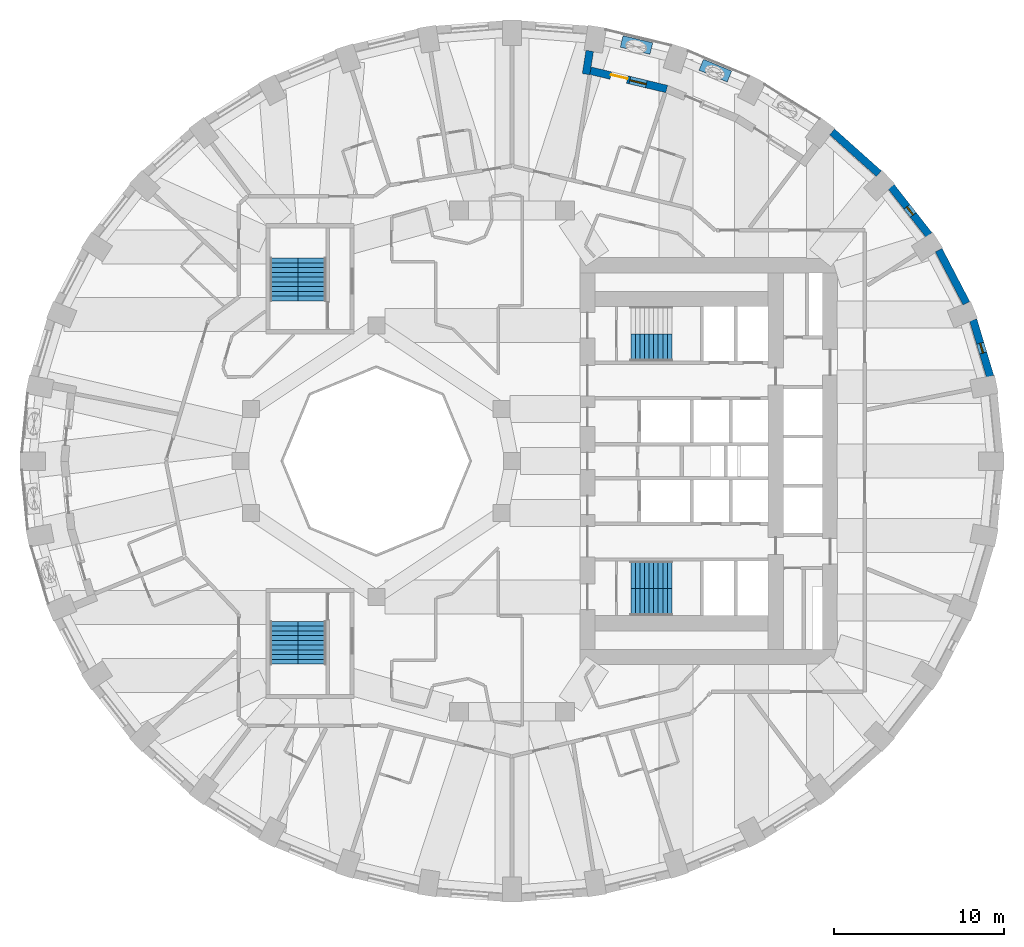
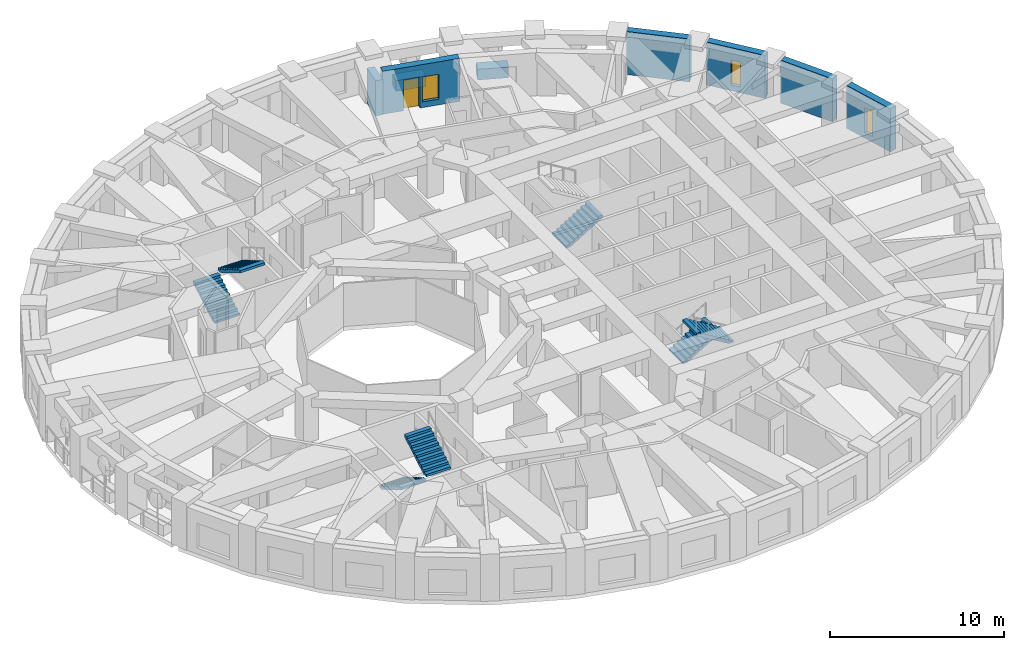
# One storey, part 10 of 14: 8 walls, 7 stair flights, 3 windows, 1 door, 4 openings, 4 elements without a shape of their own.
"""IFC4 building model written with IfcOpenShell, lengths in metres."""

from ifc_helpers import new_model, si_unit, direction, frame, frame_2d, origin, place, context, subcontext, project, spatial, polyline, rectangle, outline, extrude, material, layer, layer_set, constituent, constituent_set, type_object, element, fill, aggregate, save


model = new_model("IFC4")

# Units and contexts
model_context = context("Model", 3, precision=1e-05, world=origin(), true_north=direction((0.0, 1.0)))
body_context = subcontext(model_context, "Body", "Model", "MODEL_VIEW")
ifc_project = project(units=[si_unit("LENGTHUNIT", "METRE"), si_unit("AREAUNIT", "SQUARE_METRE"), si_unit("VOLUMEUNIT", "CUBIC_METRE"), si_unit("PLANEANGLEUNIT", "RADIAN"), si_unit("MASSUNIT", "GRAM", prefix="KILO")], contexts=[model_context])

# Site, building, storey
site_placement = place(None, origin())
site = spatial("IfcSite", under=ifc_project, at=site_placement, CompositionType="ELEMENT")
building_placement = place(site_placement, origin())
building = spatial("IfcBuilding", under=site, at=building_placement, Name="Taillehof Tower", CompositionType="ELEMENT")
storey_placement = place(building_placement, frame((0.0, 0.0, 28.300048828125)))
storey = spatial("IfcBuildingStorey", under=building, at=storey_placement, Name="L06", CompositionType="ELEMENT", Elevation=28.300048828125)

# Wall, opening, window
ifc_material_1 = material(Name="Brick masonry", Category="masonry")
ifc_layer = layer(ifc_material_1, 0.449951171875)
ifc_layer_set = layer_set([ifc_layer], Name="Brick infill wall 450")
wall_type_1 = type_object("IfcWallType", Name="Brick infill wall 450", PredefinedType="SOLIDWALL", material=ifc_layer_set)
wall_1_placement = place(storey_placement, frame((28.181884765625, 4.995849609375, 0.0), z_axis=(0.0, 0.0, 1.0), x_axis=(-0.287064133733, 0.957911364963, 0.0)))
wall_1 = element("IfcWall", 1, at=wall_1_placement, inside=storey, type_object=wall_type_1, Name="Brick wall L06 bay 2", PredefinedType="SOLIDWALL", context=body_context, shape_type="SweptSolid", body=[
    extrude(rectangle(XDim=3.473388671875, YDim=0.449951171875, at=frame_2d((1.73681640625, 0.0))), origin(), (0.0, 0.0, 1.0), 3.02001953125),
])
opening_1_placement = place(wall_1_placement, frame((1.436767578125, 0.0, 0.39990234375)))
opening_1 = element("IfcOpeningElement", 2, at=opening_1_placement, cuts=wall_1, Name="Opening W6", PredefinedType="OPENING", context=body_context, shape_type="SweptSolid", body=[
    extrude(rectangle(XDim=0.60009765625, YDim=1.75, at=frame_2d((0.300048828125, 0.875))), frame((0.0, 0.23486328125, 0.0), z_axis=(0.0, -1.0, 0.0), x_axis=(1.0, 0.0, 0.0)), (0.0, 0.0, 1.0), 0.469970703125),
])
ifc_material_2 = material(Name="Aluminium window frame with clear double glazing", Category="aluminium")
window_type_1 = type_object("IfcWindowType", Name="Slot window 600x1750", PartitioningType="SINGLE_PANEL", PredefinedType="WINDOW", material=ifc_material_2)
window_1_placement = place(opening_1_placement, origin())
window_1 = element("IfcWindow", 3, at=window_1_placement, inside=storey, type_object=window_type_1, Name="W6", OverallHeight=1.75, OverallWidth=0.60009765625, PartitioningType="SINGLE_PANEL", PredefinedType="WINDOW", context=body_context, shape_type="SweptSolid", body=[
    extrude(rectangle(XDim=0.60009765625, YDim=1.75, at=frame_2d((0.300048828125, 0.875))), frame((0.0, 0.034912109375, 0.0), z_axis=(0.0, -1.0, 0.0), x_axis=(1.0, 0.0, 0.0)), (0.0, 0.0, 1.0), 0.06005859375),
])
fill(opening_1, window_1)

# Wall
wall_2_placement = place(storey_placement, frame((26.78564453125, 9.30517578125, 0.0), z_axis=(0.0, 0.0, 1.0), x_axis=(-0.462492775226, 0.886623050041, 0.0)))
element("IfcWall", 4, at=wall_2_placement, inside=storey, type_object=wall_type_1, Name="Brick wall L06 bay 3", PredefinedType="SOLIDWALL", context=body_context, shape_type="SweptSolid", body=[
    extrude(rectangle(XDim=3.531982421875, YDim=0.449951171875, at=frame_2d((1.76611328125, 0.0))), origin(), (0.0, 0.0, 1.0), 3.02001953125),
])

# Wall, opening, window
wall_3_placement = place(storey_placement, frame((24.57763671875, 13.327880859375, 0.0), z_axis=(0.0, 0.0, 1.0), x_axis=(-0.616661975264, 0.787228053529, 0.0)))
wall_3 = element("IfcWall", 5, at=wall_3_placement, inside=storey, type_object=wall_type_1, Name="Brick wall L06 bay 4", PredefinedType="SOLIDWALL", context=body_context, shape_type="SweptSolid", body=[
    extrude(rectangle(XDim=3.60986328125, YDim=0.449951171875, at=frame_2d((1.804931640625, 0.0))), origin(), (0.0, 0.0, 1.0), 3.02001953125),
])
opening_2_placement = place(wall_3_placement, frame((1.5048828125, 0.0, 0.39990234375)))
opening_2 = element("IfcOpeningElement", 6, at=opening_2_placement, cuts=wall_3, Name="Opening W6", PredefinedType="OPENING", context=body_context, shape_type="SweptSolid", body=[
    extrude(rectangle(XDim=0.60009765625, YDim=1.75, at=frame_2d((0.300048828125, 0.875))), frame((0.0, 0.23486328125, 0.0), z_axis=(0.0, -1.0, 0.0), x_axis=(1.0, 0.0, 0.0)), (0.0, 0.0, 1.0), 0.469970703125),
])
window_2_placement = place(opening_2_placement, origin())
window_2 = element("IfcWindow", 7, at=window_2_placement, inside=storey, type_object=window_type_1, Name="W6", OverallHeight=1.75, OverallWidth=0.60009765625, PartitioningType="SINGLE_PANEL", PredefinedType="WINDOW", context=body_context, shape_type="SweptSolid", body=[
    extrude(rectangle(XDim=0.60009765625, YDim=1.75, at=frame_2d((0.300048828125, 0.875))), frame((0.0, 0.034912109375, 0.0), z_axis=(0.0, -1.0, 0.0), x_axis=(1.0, 0.0, 0.0)), (0.0, 0.0, 1.0), 0.06005859375),
])
fill(opening_2, window_2)

# Walls
wall_4_placement = place(storey_placement, frame((21.626708984375, 16.943115234375, 0.0), z_axis=(0.0, 0.0, 1.0), x_axis=(-0.745526233716, 0.66647628228, 0.0)))
element("IfcWall", 8, at=wall_4_placement, inside=storey, type_object=wall_type_1, Name="Brick wall L06 bay 5", PredefinedType="SOLIDWALL", context=body_context, shape_type="SweptSolid", body=[
    extrude(rectangle(XDim=3.69677734375, YDim=0.449951171875, at=frame_2d((1.848388671875, 0.0))), origin(), (0.0, 0.0, 1.0), 3.02001953125),
])
wall_5_placement = place(storey_placement, frame((4.58251953125, 24.178466796875, 0.0), z_axis=(0.0, 0.0, 1.0), x_axis=(-0.156133927791, -0.98773589415, 0.0)))
element("IfcWall", 9, at=wall_5_placement, inside=storey, type_object=wall_type_1, Name="Brick reveal L06 pocket 1", PredefinedType="SOLIDWALL", context=body_context, shape_type="SweptSolid", body=[
    extrude(rectangle(XDim=1.39013671875, YDim=0.449951171875, at=frame_2d((0.695068359375, 0.0))), origin(), (0.0, 0.0, 1.0), 2.469970703125),
])

# Wall, openings, door, window
wall_6_placement = place(storey_placement, frame((9.12158203125, 21.931640625, 0.0), z_axis=(0.0, 0.0, 1.0), x_axis=(-0.972346547441, 0.233542697764, 0.0)))
wall_6 = element("IfcWall", 10, at=wall_6_placement, inside=storey, type_object=wall_type_1, Name="Brick wall L06 pocket bay 8", PredefinedType="SOLIDWALL", context=body_context, shape_type="SweptSolid", body=[
    extrude(rectangle(XDim=4.623779296875, YDim=0.449951171875, at=frame_2d((2.31201171875, 0.0))), origin(), (0.0, 0.0, 1.0), 3.02001953125),
])
opening_3_placement = place(wall_6_placement, frame((1.23681640625, 0.0, 0.39990234375)))
opening_3 = element("IfcOpeningElement", 11, at=opening_3_placement, cuts=wall_6, Name="Opening W5", PredefinedType="OPENING", context=body_context, shape_type="SweptSolid", body=[
    extrude(rectangle(XDim=1.0, YDim=1.75, at=frame_2d((0.5, 0.875))), frame((0.0, 0.23486328125, 0.0), z_axis=(0.0, -1.0, 0.0), x_axis=(1.0, 0.0, 0.0)), (0.0, 0.0, 1.0), 0.469970703125),
])
opening_4_placement = place(wall_6_placement, frame((2.38671875, 0.0, 0.0)))
opening_4 = element("IfcOpeningElement", 12, at=opening_4_placement, cuts=wall_6, Name="Opening D0693", PredefinedType="OPENING", context=body_context, shape_type="SweptSolid", body=[
    extrude(rectangle(XDim=1.0, YDim=2.14990234375, at=frame_2d((0.5, 1.074951171875))), frame((0.0, 0.23486328125, 0.0), z_axis=(0.0, -1.0, 0.0), x_axis=(1.0, 0.0, 0.0)), (0.0, 0.0, 1.0), 0.469970703125),
])
ifc_material_3 = material(Name="Aluminium door frame with clear double glazing", Category="aluminium")
door_type = type_object("IfcDoorType", Name="Balcony door 1000x2150", OperationType="SINGLE_SWING_RIGHT", PredefinedType="DOOR", material=ifc_material_3)
door_placement = place(opening_4_placement, frame((1.0, 0.0, 0.0), z_axis=(0.0, 0.0, 1.0), x_axis=(-1.0, 0.0, 0.0)))
door = element("IfcDoor", 13, at=door_placement, inside=storey, type_object=door_type, Name="Balcony door L06 bay 8", OperationType="SINGLE_SWING_LEFT", OverallHeight=2.14990234375, OverallWidth=1.0, PredefinedType="DOOR", context=body_context, shape_type="SweptSolid", body=[
    extrude(rectangle(XDim=1.0, YDim=2.14990234375, at=frame_2d((0.5, 1.074951171875))), frame((0.0, 0.0751953125, 0.0), z_axis=(0.0, -1.0, 0.0), x_axis=(1.0, 0.0, 0.0)), (0.0, 0.0, 1.0), 0.050048828125),
])
fill(opening_4, door)
ifc_material_4 = material(Name="Aluminium window frame with clear double glazing", Category="aluminium")
window_type_2 = type_object("IfcWindowType", Name="Fixed window 1000x1750", PartitioningType="SINGLE_PANEL", PredefinedType="WINDOW", material=ifc_material_4)
window_3_placement = place(opening_3_placement, origin())
window_3 = element("IfcWindow", 14, at=window_3_placement, inside=storey, type_object=window_type_2, Name="W5", OverallHeight=1.75, OverallWidth=1.0, PartitioningType="SINGLE_PANEL", PredefinedType="WINDOW", context=body_context, shape_type="SweptSolid", body=[
    extrude(rectangle(XDim=1.0, YDim=1.75, at=frame_2d((0.5, 0.875))), frame((0.0, 0.034912109375, 0.0), z_axis=(0.0, -1.0, 0.0), x_axis=(1.0, 0.0, 0.0)), (0.0, 0.0, 1.0), 0.06005859375),
])
fill(opening_3, window_3)

# Walls
ifc_material_5 = material(Name="Concrete C30/37 precast", Category="concrete")
ifc_constituent_1 = constituent(ifc_material_5, Name="Structure", Category="concrete")
ifc_material_6 = material(Name="Insulated lining")
ifc_constituent_2 = constituent(ifc_material_6, Name="Lining")
ifc_constituent_set = constituent_set(constituents=[ifc_constituent_1, ifc_constituent_2], Name="Planter trough 700x750")
wall_type_2 = type_object("IfcWallType", Name="Planter trough 700x750", PredefinedType="USERDEFINED", material=ifc_constituent_set)
for number, where, z_axis, x_axis, name in (
    (15, (12.816650390625, 22.669677734375, 0.0), (0.0, 0.0, 1.0), (-0.923000660042, 0.384798364811, 0.0), "Planter L06 bay 7"),
    (16, (8.215087890625, 24.318115234375, 0.0), (0.0, 0.0, 1.0), (-0.972504142103, 0.232885580473, 0.0), "Planter L06 bay 8"),
):
    element("IfcWall", number, at=place(storey_placement, frame(where, z_axis=z_axis, x_axis=x_axis)), inside=storey, type_object=wall_type_2, Name=name, ObjectType="PLANTER", PredefinedType="USERDEFINED", context=body_context, shape_type="SweptSolid", body=[
        extrude(rectangle(XDim=1.800048828125, YDim=0.699951171875, at=frame_2d((0.89990234375, 0.0))), origin(), (0.0, 0.0, 1.0), 0.75),
    ])

# Stair, stair flight
ifc_material_7 = material(Name="Concrete C40/50", Category="concrete")
stair_type = type_object("IfcStairType", Name="Exit stair half-turn", PredefinedType="HALF_TURN_STAIR", material=ifc_material_7)
stair_1_placement = place(storey_placement, origin())
stair_1 = element("IfcStair", 17, at=stair_1_placement, inside=storey, type_object=stair_type, Name="Exit stair S1", PredefinedType="HALF_TURN_STAIR")
ifc_material_8 = material(Name="Concrete C40/50", Category="concrete")
stair_flight_type_1 = type_object("IfcStairFlightType", Name="Stair flight 1600 riser 165.0 going 270", PredefinedType="STRAIGHT", material=ifc_material_8)
stair_flight_1_placement = place(storey_placement, frame((7.0, 6.699951171875, 0.0), z_axis=(0.0, 0.0, 1.0), x_axis=(1.0, 0.0, 0.0)))
stair_flight_1 = element("IfcStairFlight", 18, at=stair_flight_1_placement, type_object=stair_flight_type_1, Name="S1 flight 1", NumberOfRisers=10, NumberOfTreads=9, PredefinedType="STRAIGHT", RiserHeight=0.165, TreadLength=0.27, context=body_context, shape_type="SweptSolid", body=[
    extrude(outline(polyline([(0.0, 0.0), (0.0, 0.00537109375), (0.0, 0.0107421875), (0.0, 0.015869140625), (0.0, 0.021240234375), (0.0, 0.026611328125), (0.0, 0.031982421875), (0.0, 0.037353515625), (0.0, 0.04248046875), (0.0, 0.0478515625), (0.0, 0.05322265625), (0.0, 0.05859375), (0.0, 0.06396484375), (0.0, 0.069091796875), (0.0, 0.074462890625), (0.0, 0.079833984375), (0.0, 0.085205078125), (0.0, 0.090576171875), (0.0, 0.095703125), (0.0, 0.10107421875), (0.0, 0.1064453125), (0.0, 0.11181640625), (0.0, 0.1171875), (0.0, 0.122314453125), (0.0, 0.127685546875), (0.0, 0.133056640625), (0.0, 0.138427734375), (0.0, 0.143798828125), (0.0, 0.14892578125), (0.0, 0.154296875), (0.0, 0.15966796875), (0.0, 0.1650390625), (0.27001953125, 0.1650390625), (0.27001953125, 0.330078125), (0.5400390625, 0.330078125), (0.5400390625, 0.4951171875), (0.81005859375, 0.4951171875), (0.81005859375, 0.659912109375), (1.080078125, 0.659912109375), (1.080078125, 0.824951171875), (1.35009765625, 0.824951171875), (1.35009765625, 0.989990234375), (1.6201171875, 0.989990234375), (1.6201171875, 1.155029296875), (1.889892578125, 1.155029296875), (1.889892578125, 1.320068359375), (2.159912109375, 1.320068359375), (2.159912109375, 1.485107421875), (2.429931640625, 1.485107421875), (2.429931640625, 1.479248046875), (2.429931640625, 1.4736328125), (2.429931640625, 1.468017578125), (2.429931640625, 1.46240234375), (2.429931640625, 1.45654296875), (2.429931640625, 1.450927734375), (2.429931640625, 1.4453125), (2.429931640625, 1.439697265625), (2.429931640625, 1.43408203125), (2.429931640625, 1.42822265625), (2.429931640625, 1.422607421875), (2.429931640625, 1.4169921875), (2.429931640625, 1.411376953125), (2.429931640625, 1.40576171875), (2.429931640625, 1.39990234375), (2.429931640625, 1.394287109375), (2.429931640625, 1.388671875), (2.429931640625, 1.383056640625), (2.429931640625, 1.37744140625), (2.429931640625, 1.37158203125), (2.429931640625, 1.365966796875), (2.429931640625, 1.3603515625), (2.429931640625, 1.354736328125), (2.429931640625, 1.348876953125), (2.429931640625, 1.34326171875), (2.429931640625, 1.337646484375), (2.429931640625, 1.33203125), (2.429931640625, 1.326416015625), (2.429931640625, 1.320556640625), (2.429931640625, 1.31494140625), (2.429931640625, 1.309326171875), (0.287353515625, 0.0), (0.0, 0.0)])), frame((0.0, 0.800048828125, 0.0), z_axis=(0.0, -1.0, 0.0), x_axis=(1.0, 0.0, 0.0)), (0.0, 0.0, 1.0), 1.6),
])
aggregate(stair_1, [stair_flight_1])

# Stair, stair flights
stair_2_placement = place(storey_placement, origin())
stair_2 = element("IfcStair", 19, at=stair_2_placement, inside=storey, type_object=stair_type, Name="Exit stair S2", PredefinedType="HALF_TURN_STAIR")
stair_flight_2_placement = place(storey_placement, frame((7.0, -6.699951171875, 0.0), z_axis=(0.0, 0.0, 1.0), x_axis=(1.0, 0.0, 0.0)))
stair_flight_2 = element("IfcStairFlight", 20, at=stair_flight_2_placement, type_object=stair_flight_type_1, Name="S2 flight 1", NumberOfRisers=10, NumberOfTreads=9, PredefinedType="STRAIGHT", RiserHeight=0.165, TreadLength=0.27, context=body_context, shape_type="SweptSolid", body=[
    extrude(outline(polyline([(0.0, 0.0), (0.0, 0.00537109375), (0.0, 0.0107421875), (0.0, 0.015869140625), (0.0, 0.021240234375), (0.0, 0.026611328125), (0.0, 0.031982421875), (0.0, 0.037353515625), (0.0, 0.04248046875), (0.0, 0.0478515625), (0.0, 0.05322265625), (0.0, 0.05859375), (0.0, 0.06396484375), (0.0, 0.069091796875), (0.0, 0.074462890625), (0.0, 0.079833984375), (0.0, 0.085205078125), (0.0, 0.090576171875), (0.0, 0.095703125), (0.0, 0.10107421875), (0.0, 0.1064453125), (0.0, 0.11181640625), (0.0, 0.1171875), (0.0, 0.122314453125), (0.0, 0.127685546875), (0.0, 0.133056640625), (0.0, 0.138427734375), (0.0, 0.143798828125), (0.0, 0.14892578125), (0.0, 0.154296875), (0.0, 0.15966796875), (0.0, 0.1650390625), (0.27001953125, 0.1650390625), (0.27001953125, 0.330078125), (0.5400390625, 0.330078125), (0.5400390625, 0.4951171875), (0.81005859375, 0.4951171875), (0.81005859375, 0.659912109375), (1.080078125, 0.659912109375), (1.080078125, 0.824951171875), (1.35009765625, 0.824951171875), (1.35009765625, 0.989990234375), (1.6201171875, 0.989990234375), (1.6201171875, 1.155029296875), (1.889892578125, 1.155029296875), (1.889892578125, 1.320068359375), (2.159912109375, 1.320068359375), (2.159912109375, 1.485107421875), (2.429931640625, 1.485107421875), (2.429931640625, 1.479248046875), (2.429931640625, 1.4736328125), (2.429931640625, 1.468017578125), (2.429931640625, 1.46240234375), (2.429931640625, 1.45654296875), (2.429931640625, 1.450927734375), (2.429931640625, 1.4453125), (2.429931640625, 1.439697265625), (2.429931640625, 1.43408203125), (2.429931640625, 1.42822265625), (2.429931640625, 1.422607421875), (2.429931640625, 1.4169921875), (2.429931640625, 1.411376953125), (2.429931640625, 1.40576171875), (2.429931640625, 1.39990234375), (2.429931640625, 1.394287109375), (2.429931640625, 1.388671875), (2.429931640625, 1.383056640625), (2.429931640625, 1.37744140625), (2.429931640625, 1.37158203125), (2.429931640625, 1.365966796875), (2.429931640625, 1.3603515625), (2.429931640625, 1.354736328125), (2.429931640625, 1.348876953125), (2.429931640625, 1.34326171875), (2.429931640625, 1.337646484375), (2.429931640625, 1.33203125), (2.429931640625, 1.326416015625), (2.429931640625, 1.320556640625), (2.429931640625, 1.31494140625), (2.429931640625, 1.309326171875), (0.287353515625, 0.0), (0.0, 0.0)])), frame((0.0, 0.800048828125, 0.0), z_axis=(0.0, -1.0, 0.0), x_axis=(1.0, 0.0, 0.0)), (0.0, 0.0, 1.0), 1.6),
])
stair_flight_3_placement = place(storey_placement, frame((9.429931640625, -8.300048828125, 1.64990234375), z_axis=(0.0, 0.0, 1.0), x_axis=(-1.0, 0.0, 0.0)))
stair_flight_3 = element("IfcStairFlight", 21, at=stair_flight_3_placement, type_object=stair_flight_type_1, Name="S2 flight 2", NumberOfRisers=10, NumberOfTreads=9, PredefinedType="STRAIGHT", RiserHeight=0.165, TreadLength=0.27, context=body_context, shape_type="SweptSolid", body=[
    extrude(outline(polyline([(0.0, 0.0), (0.0, 0.00537109375), (0.0, 0.0107421875), (0.0, 0.015869140625), (0.0, 0.021240234375), (0.0, 0.026611328125), (0.0, 0.031982421875), (0.0, 0.037353515625), (0.0, 0.04248046875), (0.0, 0.0478515625), (0.0, 0.05322265625), (0.0, 0.05859375), (0.0, 0.06396484375), (0.0, 0.069091796875), (0.0, 0.074462890625), (0.0, 0.079833984375), (0.0, 0.085205078125), (0.0, 0.090576171875), (0.0, 0.095703125), (0.0, 0.10107421875), (0.0, 0.1064453125), (0.0, 0.11181640625), (0.0, 0.1171875), (0.0, 0.122314453125), (0.0, 0.127685546875), (0.0, 0.133056640625), (0.0, 0.138427734375), (0.0, 0.143798828125), (0.0, 0.14892578125), (0.0, 0.154296875), (0.0, 0.15966796875), (0.0, 0.1650390625), (0.27001953125, 0.1650390625), (0.27001953125, 0.330078125), (0.5400390625, 0.330078125), (0.5400390625, 0.4951171875), (0.81005859375, 0.4951171875), (0.81005859375, 0.659912109375), (1.080078125, 0.659912109375), (1.080078125, 0.824951171875), (1.35009765625, 0.824951171875), (1.35009765625, 0.989990234375), (1.6201171875, 0.989990234375), (1.6201171875, 1.155029296875), (1.889892578125, 1.155029296875), (1.889892578125, 1.320068359375), (2.159912109375, 1.320068359375), (2.159912109375, 1.485107421875), (2.429931640625, 1.485107421875), (2.429931640625, 1.479248046875), (2.429931640625, 1.4736328125), (2.429931640625, 1.468017578125), (2.429931640625, 1.46240234375), (2.429931640625, 1.45654296875), (2.429931640625, 1.450927734375), (2.429931640625, 1.4453125), (2.429931640625, 1.439697265625), (2.429931640625, 1.43408203125), (2.429931640625, 1.42822265625), (2.429931640625, 1.422607421875), (2.429931640625, 1.4169921875), (2.429931640625, 1.411376953125), (2.429931640625, 1.40576171875), (2.429931640625, 1.39990234375), (2.429931640625, 1.394287109375), (2.429931640625, 1.388671875), (2.429931640625, 1.383056640625), (2.429931640625, 1.37744140625), (2.429931640625, 1.37158203125), (2.429931640625, 1.365966796875), (2.429931640625, 1.3603515625), (2.429931640625, 1.354736328125), (2.429931640625, 1.348876953125), (2.429931640625, 1.34326171875), (2.429931640625, 1.337646484375), (2.429931640625, 1.33203125), (2.429931640625, 1.326416015625), (2.429931640625, 1.320556640625), (2.429931640625, 1.31494140625), (2.429931640625, 1.309326171875), (0.287353515625, 0.0), (0.0, 0.0)])), frame((0.0, 0.800048828125, 0.0), z_axis=(0.0, -1.0, 0.0), x_axis=(1.0, 0.0, 0.0)), (0.0, 0.0, 1.0), 1.6),
])
aggregate(stair_2, [stair_flight_2, stair_flight_3])

stair_3_placement = place(storey_placement, origin())
stair_3 = element("IfcStair", 22, at=stair_3_placement, inside=storey, type_object=stair_type, Name="Exit stair S3", PredefinedType="HALF_TURN_STAIR")
ifc_material_9 = material(Name="Concrete C40/50", Category="concrete")
stair_flight_type_2 = type_object("IfcStairFlightType", Name="Stair flight 1650 riser 165.0 going 280", PredefinedType="STRAIGHT", material=ifc_material_9)
stair_flight_4_placement = place(storey_placement, frame((-13.425048828125, 9.449951171875, 0.0), z_axis=(0.0, 0.0, 1.0), x_axis=(0.0, 1.0, 0.0)))
stair_flight_4 = element("IfcStairFlight", 23, at=stair_flight_4_placement, type_object=stair_flight_type_2, Name="S3 flight 1", NumberOfRisers=10, NumberOfTreads=9, PredefinedType="STRAIGHT", RiserHeight=0.165, TreadLength=0.28, context=body_context, shape_type="SweptSolid", body=[
    extrude(outline(polyline([(0.0, 0.0), (0.0, 0.00537109375), (0.0, 0.0107421875), (0.0, 0.015869140625), (0.0, 0.021240234375), (0.0, 0.026611328125), (0.0, 0.031982421875), (0.0, 0.037353515625), (0.0, 0.04248046875), (0.0, 0.0478515625), (0.0, 0.05322265625), (0.0, 0.05859375), (0.0, 0.06396484375), (0.0, 0.069091796875), (0.0, 0.074462890625), (0.0, 0.079833984375), (0.0, 0.085205078125), (0.0, 0.090576171875), (0.0, 0.095703125), (0.0, 0.10107421875), (0.0, 0.1064453125), (0.0, 0.11181640625), (0.0, 0.1171875), (0.0, 0.122314453125), (0.0, 0.127685546875), (0.0, 0.133056640625), (0.0, 0.138427734375), (0.0, 0.143798828125), (0.0, 0.14892578125), (0.0, 0.154296875), (0.0, 0.15966796875), (0.0, 0.1650390625), (0.280029296875, 0.1650390625), (0.280029296875, 0.330078125), (0.56005859375, 0.330078125), (0.56005859375, 0.4951171875), (0.840087890625, 0.4951171875), (0.840087890625, 0.659912109375), (1.1201171875, 0.659912109375), (1.1201171875, 0.824951171875), (1.39990234375, 0.824951171875), (1.39990234375, 0.989990234375), (1.679931640625, 0.989990234375), (1.679931640625, 1.155029296875), (1.9599609375, 1.155029296875), (1.9599609375, 1.320068359375), (2.239990234375, 1.320068359375), (2.239990234375, 1.485107421875), (2.52001953125, 1.485107421875), (2.52001953125, 1.4794921875), (2.52001953125, 1.473876953125), (2.52001953125, 1.46826171875), (2.52001953125, 1.462646484375), (2.52001953125, 1.45703125), (2.52001953125, 1.451416015625), (2.52001953125, 1.44580078125), (2.52001953125, 1.440185546875), (2.52001953125, 1.4345703125), (2.52001953125, 1.428955078125), (2.52001953125, 1.42333984375), (2.52001953125, 1.417724609375), (2.52001953125, 1.412109375), (2.52001953125, 1.406494140625), (2.52001953125, 1.40087890625), (2.52001953125, 1.395263671875), (2.52001953125, 1.3896484375), (2.52001953125, 1.384033203125), (2.52001953125, 1.37841796875), (2.52001953125, 1.372802734375), (2.52001953125, 1.3671875), (2.52001953125, 1.361572265625), (2.52001953125, 1.35595703125), (2.52001953125, 1.350341796875), (2.52001953125, 1.3447265625), (2.52001953125, 1.339111328125), (2.52001953125, 1.33349609375), (2.52001953125, 1.327880859375), (2.52001953125, 1.322265625), (2.52001953125, 1.316650390625), (2.52001953125, 1.31103515625), (0.295166015625, 0.0), (0.0, 0.0)])), frame((0.0, 0.824951171875, 0.0), z_axis=(0.0, -1.0, 0.0), x_axis=(1.0, 0.0, 0.0)), (0.0, 0.0, 1.0), 1.65),
])
stair_flight_5_placement = place(storey_placement, frame((-11.77490234375, 11.969970703125, 1.64990234375), z_axis=(0.0, 0.0, 1.0), x_axis=(0.0, -1.0, 0.0)))
stair_flight_5 = element("IfcStairFlight", 24, at=stair_flight_5_placement, type_object=stair_flight_type_2, Name="S3 flight 2", NumberOfRisers=10, NumberOfTreads=9, PredefinedType="STRAIGHT", RiserHeight=0.165, TreadLength=0.28, context=body_context, shape_type="SweptSolid", body=[
    extrude(outline(polyline([(0.0, 0.0), (0.0, 0.00537109375), (0.0, 0.0107421875), (0.0, 0.015869140625), (0.0, 0.021240234375), (0.0, 0.026611328125), (0.0, 0.031982421875), (0.0, 0.037353515625), (0.0, 0.04248046875), (0.0, 0.0478515625), (0.0, 0.05322265625), (0.0, 0.05859375), (0.0, 0.06396484375), (0.0, 0.069091796875), (0.0, 0.074462890625), (0.0, 0.079833984375), (0.0, 0.085205078125), (0.0, 0.090576171875), (0.0, 0.095703125), (0.0, 0.10107421875), (0.0, 0.1064453125), (0.0, 0.11181640625), (0.0, 0.1171875), (0.0, 0.122314453125), (0.0, 0.127685546875), (0.0, 0.133056640625), (0.0, 0.138427734375), (0.0, 0.143798828125), (0.0, 0.14892578125), (0.0, 0.154296875), (0.0, 0.15966796875), (0.0, 0.1650390625), (0.280029296875, 0.1650390625), (0.280029296875, 0.330078125), (0.56005859375, 0.330078125), (0.56005859375, 0.4951171875), (0.840087890625, 0.4951171875), (0.840087890625, 0.659912109375), (1.1201171875, 0.659912109375), (1.1201171875, 0.824951171875), (1.39990234375, 0.824951171875), (1.39990234375, 0.989990234375), (1.679931640625, 0.989990234375), (1.679931640625, 1.155029296875), (1.9599609375, 1.155029296875), (1.9599609375, 1.320068359375), (2.239990234375, 1.320068359375), (2.239990234375, 1.485107421875), (2.52001953125, 1.485107421875), (2.52001953125, 1.4794921875), (2.52001953125, 1.473876953125), (2.52001953125, 1.46826171875), (2.52001953125, 1.462646484375), (2.52001953125, 1.45703125), (2.52001953125, 1.451416015625), (2.52001953125, 1.44580078125), (2.52001953125, 1.440185546875), (2.52001953125, 1.4345703125), (2.52001953125, 1.428955078125), (2.52001953125, 1.42333984375), (2.52001953125, 1.417724609375), (2.52001953125, 1.412109375), (2.52001953125, 1.406494140625), (2.52001953125, 1.40087890625), (2.52001953125, 1.395263671875), (2.52001953125, 1.3896484375), (2.52001953125, 1.384033203125), (2.52001953125, 1.37841796875), (2.52001953125, 1.372802734375), (2.52001953125, 1.3671875), (2.52001953125, 1.361572265625), (2.52001953125, 1.35595703125), (2.52001953125, 1.350341796875), (2.52001953125, 1.3447265625), (2.52001953125, 1.339111328125), (2.52001953125, 1.33349609375), (2.52001953125, 1.327880859375), (2.52001953125, 1.322265625), (2.52001953125, 1.316650390625), (2.52001953125, 1.31103515625), (0.295166015625, 0.0), (0.0, 0.0)])), frame((0.0, 0.824951171875, 0.0), z_axis=(0.0, -1.0, 0.0), x_axis=(1.0, 0.0, 0.0)), (0.0, 0.0, 1.0), 1.65),
])
aggregate(stair_3, [stair_flight_4, stair_flight_5])

stair_4_placement = place(storey_placement, origin())
stair_4 = element("IfcStair", 25, at=stair_4_placement, inside=storey, type_object=stair_type, Name="Exit stair S4", PredefinedType="HALF_TURN_STAIR")
stair_flight_6_placement = place(storey_placement, frame((-13.425048828125, -9.449951171875, 0.0), z_axis=(0.0, 0.0, 1.0), x_axis=(0.0, -1.0, 0.0)))
stair_flight_6 = element("IfcStairFlight", 26, at=stair_flight_6_placement, type_object=stair_flight_type_2, Name="S4 flight 1", NumberOfRisers=10, NumberOfTreads=9, PredefinedType="STRAIGHT", RiserHeight=0.165, TreadLength=0.28, context=body_context, shape_type="SweptSolid", body=[
    extrude(outline(polyline([(0.0, 0.0), (0.0, 0.00537109375), (0.0, 0.0107421875), (0.0, 0.015869140625), (0.0, 0.021240234375), (0.0, 0.026611328125), (0.0, 0.031982421875), (0.0, 0.037353515625), (0.0, 0.04248046875), (0.0, 0.0478515625), (0.0, 0.05322265625), (0.0, 0.05859375), (0.0, 0.06396484375), (0.0, 0.069091796875), (0.0, 0.074462890625), (0.0, 0.079833984375), (0.0, 0.085205078125), (0.0, 0.090576171875), (0.0, 0.095703125), (0.0, 0.10107421875), (0.0, 0.1064453125), (0.0, 0.11181640625), (0.0, 0.1171875), (0.0, 0.122314453125), (0.0, 0.127685546875), (0.0, 0.133056640625), (0.0, 0.138427734375), (0.0, 0.143798828125), (0.0, 0.14892578125), (0.0, 0.154296875), (0.0, 0.15966796875), (0.0, 0.1650390625), (0.280029296875, 0.1650390625), (0.280029296875, 0.330078125), (0.56005859375, 0.330078125), (0.56005859375, 0.4951171875), (0.840087890625, 0.4951171875), (0.840087890625, 0.659912109375), (1.1201171875, 0.659912109375), (1.1201171875, 0.824951171875), (1.39990234375, 0.824951171875), (1.39990234375, 0.989990234375), (1.679931640625, 0.989990234375), (1.679931640625, 1.155029296875), (1.9599609375, 1.155029296875), (1.9599609375, 1.320068359375), (2.239990234375, 1.320068359375), (2.239990234375, 1.485107421875), (2.52001953125, 1.485107421875), (2.52001953125, 1.4794921875), (2.52001953125, 1.473876953125), (2.52001953125, 1.46826171875), (2.52001953125, 1.462646484375), (2.52001953125, 1.45703125), (2.52001953125, 1.451416015625), (2.52001953125, 1.44580078125), (2.52001953125, 1.440185546875), (2.52001953125, 1.4345703125), (2.52001953125, 1.428955078125), (2.52001953125, 1.42333984375), (2.52001953125, 1.417724609375), (2.52001953125, 1.412109375), (2.52001953125, 1.406494140625), (2.52001953125, 1.40087890625), (2.52001953125, 1.395263671875), (2.52001953125, 1.3896484375), (2.52001953125, 1.384033203125), (2.52001953125, 1.37841796875), (2.52001953125, 1.372802734375), (2.52001953125, 1.3671875), (2.52001953125, 1.361572265625), (2.52001953125, 1.35595703125), (2.52001953125, 1.350341796875), (2.52001953125, 1.3447265625), (2.52001953125, 1.339111328125), (2.52001953125, 1.33349609375), (2.52001953125, 1.327880859375), (2.52001953125, 1.322265625), (2.52001953125, 1.316650390625), (2.52001953125, 1.31103515625), (0.295166015625, 0.0), (0.0, 0.0)])), frame((0.0, 0.824951171875, 0.0), z_axis=(0.0, -1.0, 0.0), x_axis=(1.0, 0.0, 0.0)), (0.0, 0.0, 1.0), 1.65),
])
stair_flight_7_placement = place(storey_placement, frame((-11.77490234375, -11.969970703125, 1.64990234375), z_axis=(0.0, 0.0, 1.0), x_axis=(0.0, 1.0, 0.0)))
stair_flight_7 = element("IfcStairFlight", 27, at=stair_flight_7_placement, type_object=stair_flight_type_2, Name="S4 flight 2", NumberOfRisers=10, NumberOfTreads=9, PredefinedType="STRAIGHT", RiserHeight=0.165, TreadLength=0.28, context=body_context, shape_type="SweptSolid", body=[
    extrude(outline(polyline([(0.0, 0.0), (0.0, 0.00537109375), (0.0, 0.0107421875), (0.0, 0.015869140625), (0.0, 0.021240234375), (0.0, 0.026611328125), (0.0, 0.031982421875), (0.0, 0.037353515625), (0.0, 0.04248046875), (0.0, 0.0478515625), (0.0, 0.05322265625), (0.0, 0.05859375), (0.0, 0.06396484375), (0.0, 0.069091796875), (0.0, 0.074462890625), (0.0, 0.079833984375), (0.0, 0.085205078125), (0.0, 0.090576171875), (0.0, 0.095703125), (0.0, 0.10107421875), (0.0, 0.1064453125), (0.0, 0.11181640625), (0.0, 0.1171875), (0.0, 0.122314453125), (0.0, 0.127685546875), (0.0, 0.133056640625), (0.0, 0.138427734375), (0.0, 0.143798828125), (0.0, 0.14892578125), (0.0, 0.154296875), (0.0, 0.15966796875), (0.0, 0.1650390625), (0.280029296875, 0.1650390625), (0.280029296875, 0.330078125), (0.56005859375, 0.330078125), (0.56005859375, 0.4951171875), (0.840087890625, 0.4951171875), (0.840087890625, 0.659912109375), (1.1201171875, 0.659912109375), (1.1201171875, 0.824951171875), (1.39990234375, 0.824951171875), (1.39990234375, 0.989990234375), (1.679931640625, 0.989990234375), (1.679931640625, 1.155029296875), (1.9599609375, 1.155029296875), (1.9599609375, 1.320068359375), (2.239990234375, 1.320068359375), (2.239990234375, 1.485107421875), (2.52001953125, 1.485107421875), (2.52001953125, 1.4794921875), (2.52001953125, 1.473876953125), (2.52001953125, 1.46826171875), (2.52001953125, 1.462646484375), (2.52001953125, 1.45703125), (2.52001953125, 1.451416015625), (2.52001953125, 1.44580078125), (2.52001953125, 1.440185546875), (2.52001953125, 1.4345703125), (2.52001953125, 1.428955078125), (2.52001953125, 1.42333984375), (2.52001953125, 1.417724609375), (2.52001953125, 1.412109375), (2.52001953125, 1.406494140625), (2.52001953125, 1.40087890625), (2.52001953125, 1.395263671875), (2.52001953125, 1.3896484375), (2.52001953125, 1.384033203125), (2.52001953125, 1.37841796875), (2.52001953125, 1.372802734375), (2.52001953125, 1.3671875), (2.52001953125, 1.361572265625), (2.52001953125, 1.35595703125), (2.52001953125, 1.350341796875), (2.52001953125, 1.3447265625), (2.52001953125, 1.339111328125), (2.52001953125, 1.33349609375), (2.52001953125, 1.327880859375), (2.52001953125, 1.322265625), (2.52001953125, 1.316650390625), (2.52001953125, 1.31103515625), (0.295166015625, 0.0), (0.0, 0.0)])), frame((0.0, 0.824951171875, 0.0), z_axis=(0.0, -1.0, 0.0), x_axis=(1.0, 0.0, 0.0)), (0.0, 0.0, 1.0), 1.65),
])
aggregate(stair_4, [stair_flight_6, stair_flight_7])

save(model, "model.ifc")
